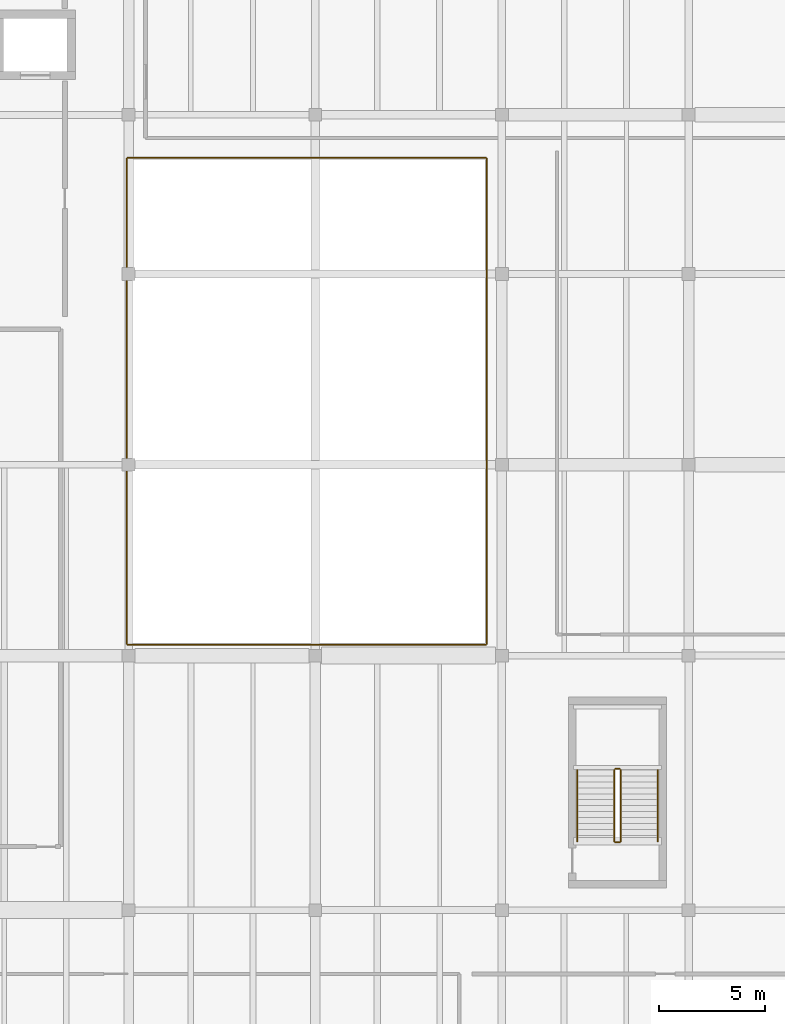
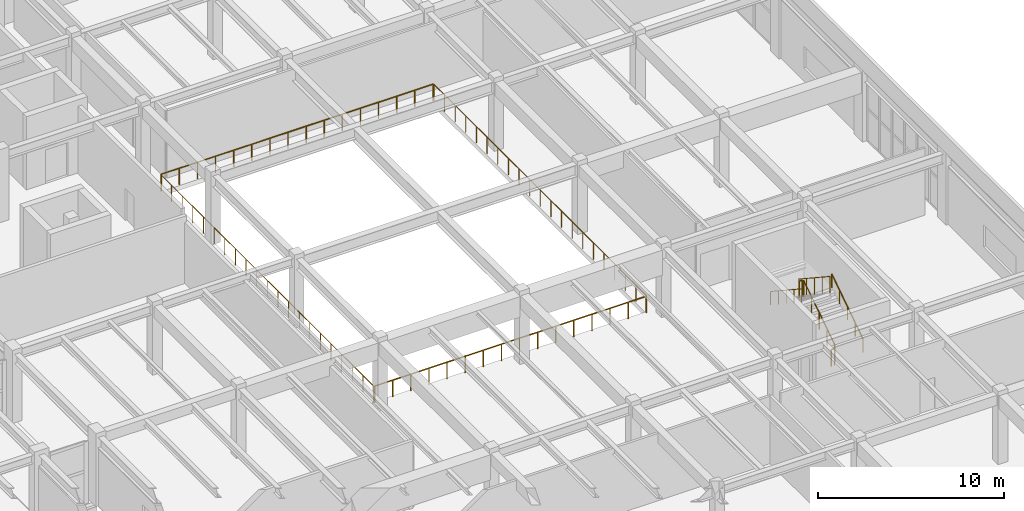
# One storey, part 96 of 96: 10 railings.
"""IFC4 building model written with IfcOpenShell, lengths in metres."""

from ifc_helpers import new_model, si_unit, direction, frame, origin, origin_2d, place, context, subcontext, project, spatial, circle, extrude, material, type_object, element, save


model = new_model("IFC4")

# Units and contexts
model_context = context("Model", 3, precision=1e-05, world=origin(), true_north=direction((0.0, 1.0)))
body_context = subcontext(model_context, "Body", "Model", "MODEL_VIEW")
ifc_project = project(units=[si_unit("LENGTHUNIT", "METRE"), si_unit("AREAUNIT", "SQUARE_METRE"), si_unit("VOLUMEUNIT", "CUBIC_METRE"), si_unit("PLANEANGLEUNIT", "RADIAN"), si_unit("MASSUNIT", "GRAM", prefix="KILO")], contexts=[model_context])

# Site, building, storey
site_placement = place(None, origin())
site = spatial("IfcSite", under=ifc_project, at=site_placement, CompositionType="ELEMENT")
building_placement = place(site_placement, origin())
building = spatial("IfcBuilding", under=site, at=building_placement, Name="Vaelkrest Opera House", CompositionType="ELEMENT")
storey_placement = place(building_placement, frame((0.0, 0.0, 5.39990234375)))
storey = spatial("IfcBuildingStorey", under=building, at=storey_placement, Name="L01", CompositionType="ELEMENT", Elevation=5.39990234375)

# Railings
ifc_material = material(Name="Dark bronze anodized aluminium", Category="aluminium")
railing_type_1 = type_object("IfcRailingType", Name="GR01", PredefinedType="GUARDRAIL", material=ifc_material)
railing_1_placement = place(storey_placement, frame((51.159912109375, -7.280029296875, 0.0)))
element("IfcRailing", 1, at=railing_1_placement, inside=storey, type_object=railing_type_1, Name="Atrium/stage void guard V4 L01-1 seg 1", PredefinedType="GUARDRAIL", context=body_context, shape_type="SweptSolid", body=[
    extrude(circle(Radius=0.02392578125, at=origin_2d()), frame((0.0, 0.0, 1.076171875), z_axis=(1.0, 0.0, 0.0), x_axis=(0.0, 1.0, 0.0)), (0.0, 0.0, 1.0), 16.880126953125),
    extrude(circle(Radius=0.02099609375, at=origin_2d()), origin(), (0.0, 0.0, 1.0), 1.052001953125),
    extrude(circle(Radius=0.02099609375, at=origin_2d()), frame((1.125244140625, 0.0, 0.0)), (0.0, 0.0, 1.0), 1.052001953125),
    extrude(circle(Radius=0.02099609375, at=origin_2d()), frame((2.250732421875, 0.0, 0.0)), (0.0, 0.0, 1.0), 1.052001953125),
    extrude(circle(Radius=0.02099609375, at=origin_2d()), frame((3.3759765625, 0.0, 0.0)), (0.0, 0.0, 1.0), 1.052001953125),
    extrude(circle(Radius=0.02099609375, at=origin_2d()), frame((4.50146484375, 0.0, 0.0)), (0.0, 0.0, 1.0), 1.052001953125),
    extrude(circle(Radius=0.02099609375, at=origin_2d()), frame((5.626708984375, 0.0, 0.0)), (0.0, 0.0, 1.0), 1.052001953125),
    extrude(circle(Radius=0.02099609375, at=origin_2d()), frame((6.751953125, 0.0, 0.0)), (0.0, 0.0, 1.0), 1.052001953125),
    extrude(circle(Radius=0.02099609375, at=origin_2d()), frame((7.87744140625, 0.0, 0.0)), (0.0, 0.0, 1.0), 1.052001953125),
    extrude(circle(Radius=0.02099609375, at=origin_2d()), frame((9.002685546875, 0.0, 0.0)), (0.0, 0.0, 1.0), 1.052001953125),
    extrude(circle(Radius=0.02099609375, at=origin_2d()), frame((10.128173828125, 0.0, 0.0)), (0.0, 0.0, 1.0), 1.052001953125),
    extrude(circle(Radius=0.02099609375, at=origin_2d()), frame((11.25341796875, 0.0, 0.0)), (0.0, 0.0, 1.0), 1.052001953125),
    extrude(circle(Radius=0.02099609375, at=origin_2d()), frame((12.378662109375, 0.0, 0.0)), (0.0, 0.0, 1.0), 1.052001953125),
    extrude(circle(Radius=0.02099609375, at=origin_2d()), frame((13.504150390625, 0.0, 0.0)), (0.0, 0.0, 1.0), 1.052001953125),
    extrude(circle(Radius=0.02099609375, at=origin_2d()), frame((14.62939453125, 0.0, 0.0)), (0.0, 0.0, 1.0), 1.052001953125),
    extrude(circle(Radius=0.02099609375, at=origin_2d()), frame((15.7548828125, 0.0, 0.0)), (0.0, 0.0, 1.0), 1.052001953125),
    extrude(circle(Radius=0.02099609375, at=origin_2d()), frame((16.880126953125, 0.0, 0.0)), (0.0, 0.0, 1.0), 1.052001953125),
])
railing_2_placement = place(storey_placement, frame((68.080078125, -7.239990234375, 0.0)))
element("IfcRailing", 2, at=railing_2_placement, inside=storey, type_object=railing_type_1, Name="Atrium/stage void guard V4 L01-1 seg 2", PredefinedType="GUARDRAIL", context=body_context, shape_type="SweptSolid", body=[
    extrude(circle(Radius=0.02392578125, at=origin_2d()), frame((0.0, 0.0, 1.076171875), z_axis=(0.0, 1.0, 0.0), x_axis=(-1.0, 0.0, 0.0)), (0.0, 0.0, 1.0), 22.8798828125),
    extrude(circle(Radius=0.02099609375, at=origin_2d()), origin(), (0.0, 0.0, 1.0), 1.052001953125),
    extrude(circle(Radius=0.02099609375, at=origin_2d()), frame((0.0, 1.14404296875, 0.0)), (0.0, 0.0, 1.0), 1.052001953125),
    extrude(circle(Radius=0.02099609375, at=origin_2d()), frame((0.0, 2.2880859375, 0.0)), (0.0, 0.0, 1.0), 1.052001953125),
    extrude(circle(Radius=0.02099609375, at=origin_2d()), frame((0.0, 3.431884765625, 0.0)), (0.0, 0.0, 1.0), 1.052001953125),
    extrude(circle(Radius=0.02099609375, at=origin_2d()), frame((0.0, 4.575927734375, 0.0)), (0.0, 0.0, 1.0), 1.052001953125),
    extrude(circle(Radius=0.02099609375, at=origin_2d()), frame((0.0, 5.719970703125, 0.0)), (0.0, 0.0, 1.0), 1.052001953125),
    extrude(circle(Radius=0.02099609375, at=origin_2d()), frame((0.0, 6.864013671875, 0.0)), (0.0, 0.0, 1.0), 1.052001953125),
    extrude(circle(Radius=0.02099609375, at=origin_2d()), frame((0.0, 8.008056640625, 0.0)), (0.0, 0.0, 1.0), 1.052001953125),
    extrude(circle(Radius=0.02099609375, at=origin_2d()), frame((0.0, 9.15185546875, 0.0)), (0.0, 0.0, 1.0), 1.052001953125),
    extrude(circle(Radius=0.02099609375, at=origin_2d()), frame((0.0, 10.2958984375, 0.0)), (0.0, 0.0, 1.0), 1.052001953125),
    extrude(circle(Radius=0.02099609375, at=origin_2d()), frame((0.0, 11.43994140625, 0.0)), (0.0, 0.0, 1.0), 1.052001953125),
    extrude(circle(Radius=0.02099609375, at=origin_2d()), frame((0.0, 12.583984375, 0.0)), (0.0, 0.0, 1.0), 1.052001953125),
    extrude(circle(Radius=0.02099609375, at=origin_2d()), frame((0.0, 13.72802734375, 0.0)), (0.0, 0.0, 1.0), 1.052001953125),
    extrude(circle(Radius=0.02099609375, at=origin_2d()), frame((0.0, 14.871826171875, 0.0)), (0.0, 0.0, 1.0), 1.052001953125),
    extrude(circle(Radius=0.02099609375, at=origin_2d()), frame((0.0, 16.015869140625, 0.0)), (0.0, 0.0, 1.0), 1.052001953125),
    extrude(circle(Radius=0.02099609375, at=origin_2d()), frame((0.0, 17.159912109375, 0.0)), (0.0, 0.0, 1.0), 1.052001953125),
    extrude(circle(Radius=0.02099609375, at=origin_2d()), frame((0.0, 18.303955078125, 0.0)), (0.0, 0.0, 1.0), 1.052001953125),
    extrude(circle(Radius=0.02099609375, at=origin_2d()), frame((0.0, 19.447998046875, 0.0)), (0.0, 0.0, 1.0), 1.052001953125),
    extrude(circle(Radius=0.02099609375, at=origin_2d()), frame((0.0, 20.591796875, 0.0)), (0.0, 0.0, 1.0), 1.052001953125),
    extrude(circle(Radius=0.02099609375, at=origin_2d()), frame((0.0, 21.73583984375, 0.0)), (0.0, 0.0, 1.0), 1.052001953125),
    extrude(circle(Radius=0.02099609375, at=origin_2d()), frame((0.0, 22.8798828125, 0.0)), (0.0, 0.0, 1.0), 1.052001953125),
])
railing_3_placement = place(storey_placement, frame((68.0400390625, 15.679931640625, 0.0)))
element("IfcRailing", 3, at=railing_3_placement, inside=storey, type_object=railing_type_1, Name="Atrium/stage void guard V4 L01-1 seg 3", PredefinedType="GUARDRAIL", context=body_context, shape_type="SweptSolid", body=[
    extrude(circle(Radius=0.02392578125, at=origin_2d()), frame((0.0, 0.0, 1.076171875), z_axis=(-1.0, 0.0, 0.0), x_axis=(0.0, -1.0, 0.0)), (0.0, 0.0, 1.0), 16.880126953125),
    extrude(circle(Radius=0.02099609375, at=origin_2d()), origin(), (0.0, 0.0, 1.0), 1.052001953125),
    extrude(circle(Radius=0.02099609375, at=origin_2d()), frame((-1.125244140625, 0.0, 0.0)), (0.0, 0.0, 1.0), 1.052001953125),
    extrude(circle(Radius=0.02099609375, at=origin_2d()), frame((-2.250732421875, 0.0, 0.0)), (0.0, 0.0, 1.0), 1.052001953125),
    extrude(circle(Radius=0.02099609375, at=origin_2d()), frame((-3.3759765625, 0.0, 0.0)), (0.0, 0.0, 1.0), 1.052001953125),
    extrude(circle(Radius=0.02099609375, at=origin_2d()), frame((-4.50146484375, 0.0, 0.0)), (0.0, 0.0, 1.0), 1.052001953125),
    extrude(circle(Radius=0.02099609375, at=origin_2d()), frame((-5.626708984375, 0.0, 0.0)), (0.0, 0.0, 1.0), 1.052001953125),
    extrude(circle(Radius=0.02099609375, at=origin_2d()), frame((-6.751953125, 0.0, 0.0)), (0.0, 0.0, 1.0), 1.052001953125),
    extrude(circle(Radius=0.02099609375, at=origin_2d()), frame((-7.87744140625, 0.0, 0.0)), (0.0, 0.0, 1.0), 1.052001953125),
    extrude(circle(Radius=0.02099609375, at=origin_2d()), frame((-9.002685546875, 0.0, 0.0)), (0.0, 0.0, 1.0), 1.052001953125),
    extrude(circle(Radius=0.02099609375, at=origin_2d()), frame((-10.128173828125, 0.0, 0.0)), (0.0, 0.0, 1.0), 1.052001953125),
    extrude(circle(Radius=0.02099609375, at=origin_2d()), frame((-11.25341796875, 0.0, 0.0)), (0.0, 0.0, 1.0), 1.052001953125),
    extrude(circle(Radius=0.02099609375, at=origin_2d()), frame((-12.378662109375, 0.0, 0.0)), (0.0, 0.0, 1.0), 1.052001953125),
    extrude(circle(Radius=0.02099609375, at=origin_2d()), frame((-13.504150390625, 0.0, 0.0)), (0.0, 0.0, 1.0), 1.052001953125),
    extrude(circle(Radius=0.02099609375, at=origin_2d()), frame((-14.62939453125, 0.0, 0.0)), (0.0, 0.0, 1.0), 1.052001953125),
    extrude(circle(Radius=0.02099609375, at=origin_2d()), frame((-15.7548828125, 0.0, 0.0)), (0.0, 0.0, 1.0), 1.052001953125),
    extrude(circle(Radius=0.02099609375, at=origin_2d()), frame((-16.880126953125, 0.0, 0.0)), (0.0, 0.0, 1.0), 1.052001953125),
])
railing_4_placement = place(storey_placement, frame((51.1201171875, 15.639892578125, 0.0)))
element("IfcRailing", 4, at=railing_4_placement, inside=storey, type_object=railing_type_1, Name="Atrium/stage void guard V4 L01-1 seg 4", PredefinedType="GUARDRAIL", context=body_context, shape_type="SweptSolid", body=[
    extrude(circle(Radius=0.02392578125, at=origin_2d()), frame((0.0, 0.0, 1.076171875), z_axis=(0.0, -1.0, 0.0), x_axis=(1.0, 0.0, 0.0)), (0.0, 0.0, 1.0), 22.8798828125),
    extrude(circle(Radius=0.02099609375, at=origin_2d()), origin(), (0.0, 0.0, 1.0), 1.052001953125),
    extrude(circle(Radius=0.02099609375, at=origin_2d()), frame((0.0, -1.14404296875, 0.0)), (0.0, 0.0, 1.0), 1.052001953125),
    extrude(circle(Radius=0.02099609375, at=origin_2d()), frame((0.0, -2.2880859375, 0.0)), (0.0, 0.0, 1.0), 1.052001953125),
    extrude(circle(Radius=0.02099609375, at=origin_2d()), frame((0.0, -3.431884765625, 0.0)), (0.0, 0.0, 1.0), 1.052001953125),
    extrude(circle(Radius=0.02099609375, at=origin_2d()), frame((0.0, -4.575927734375, 0.0)), (0.0, 0.0, 1.0), 1.052001953125),
    extrude(circle(Radius=0.02099609375, at=origin_2d()), frame((0.0, -5.719970703125, 0.0)), (0.0, 0.0, 1.0), 1.052001953125),
    extrude(circle(Radius=0.02099609375, at=origin_2d()), frame((0.0, -6.864013671875, 0.0)), (0.0, 0.0, 1.0), 1.052001953125),
    extrude(circle(Radius=0.02099609375, at=origin_2d()), frame((0.0, -8.008056640625, 0.0)), (0.0, 0.0, 1.0), 1.052001953125),
    extrude(circle(Radius=0.02099609375, at=origin_2d()), frame((0.0, -9.15185546875, 0.0)), (0.0, 0.0, 1.0), 1.052001953125),
    extrude(circle(Radius=0.02099609375, at=origin_2d()), frame((0.0, -10.2958984375, 0.0)), (0.0, 0.0, 1.0), 1.052001953125),
    extrude(circle(Radius=0.02099609375, at=origin_2d()), frame((0.0, -11.43994140625, 0.0)), (0.0, 0.0, 1.0), 1.052001953125),
    extrude(circle(Radius=0.02099609375, at=origin_2d()), frame((0.0, -12.583984375, 0.0)), (0.0, 0.0, 1.0), 1.052001953125),
    extrude(circle(Radius=0.02099609375, at=origin_2d()), frame((0.0, -13.72802734375, 0.0)), (0.0, 0.0, 1.0), 1.052001953125),
    extrude(circle(Radius=0.02099609375, at=origin_2d()), frame((0.0, -14.871826171875, 0.0)), (0.0, 0.0, 1.0), 1.052001953125),
    extrude(circle(Radius=0.02099609375, at=origin_2d()), frame((0.0, -16.015869140625, 0.0)), (0.0, 0.0, 1.0), 1.052001953125),
    extrude(circle(Radius=0.02099609375, at=origin_2d()), frame((0.0, -17.159912109375, 0.0)), (0.0, 0.0, 1.0), 1.052001953125),
    extrude(circle(Radius=0.02099609375, at=origin_2d()), frame((0.0, -18.303955078125, 0.0)), (0.0, 0.0, 1.0), 1.052001953125),
    extrude(circle(Radius=0.02099609375, at=origin_2d()), frame((0.0, -19.447998046875, 0.0)), (0.0, 0.0, 1.0), 1.052001953125),
    extrude(circle(Radius=0.02099609375, at=origin_2d()), frame((0.0, -20.591796875, 0.0)), (0.0, 0.0, 1.0), 1.052001953125),
    extrude(circle(Radius=0.02099609375, at=origin_2d()), frame((0.0, -21.73583984375, 0.0)), (0.0, 0.0, 1.0), 1.052001953125),
    extrude(circle(Radius=0.02099609375, at=origin_2d()), frame((0.0, -22.8798828125, 0.0)), (0.0, 0.0, 1.0), 1.052001953125),
])
railing_type_2 = type_object("IfcRailingType", Name="GR02", PredefinedType="GUARDRAIL", material=ifc_material)
railing_5_placement = place(storey_placement, frame((74.39990234375, -16.550048828125, 0.184814453125)))
element("IfcRailing", 5, at=railing_5_placement, inside=storey, type_object=railing_type_2, Name="L01 ST10 stair guard 1", PredefinedType="GUARDRAIL", context=body_context, shape_type="SweptSolid", body=[
    extrude(circle(Radius=0.02392578125, at=origin_2d()), frame((0.0, 0.0, 1.076171875), z_axis=(0.0, 0.834876476806, 0.550437342915), x_axis=(-1.0, 0.0, 0.0)), (0.0, 0.0, 1.0), 4.024658203125),
    extrude(circle(Radius=0.02099609375, at=origin_2d()), origin(), (0.0, 0.0, 1.0), 1.052001953125),
    extrude(circle(Radius=0.02099609375, at=origin_2d()), frame((0.0, 0.840087890625, 0.5537109375)), (0.0, 0.0, 1.0), 1.052001953125),
    extrude(circle(Radius=0.02099609375, at=origin_2d()), frame((0.0, 1.68017578125, 1.107666015625)), (0.0, 0.0, 1.0), 1.052001953125),
    extrude(circle(Radius=0.02099609375, at=origin_2d()), frame((0.0, 2.52001953125, 1.66162109375)), (0.0, 0.0, 1.0), 1.052001953125),
    extrude(circle(Radius=0.02099609375, at=origin_2d()), frame((0.0, 3.360107421875, 2.21533203125)), (0.0, 0.0, 1.0), 1.052001953125),
])
railing_6_placement = place(storey_placement, frame((74.35009765625, -13.139892578125, 2.400146484375)))
element("IfcRailing", 6, at=railing_6_placement, inside=storey, type_object=railing_type_2, Name="L01 ST10 stair guard 2", PredefinedType="GUARDRAIL", context=body_context, shape_type="SweptSolid", body=[
    extrude(circle(Radius=0.02392578125, at=origin_2d()), frame((0.0, 0.0, 1.076171875), z_axis=(-1.0, 0.0, 0.0), x_axis=(0.0, -1.0, 0.0)), (0.0, 0.0, 1.0), 0.2001953125),
    extrude(circle(Radius=0.02099609375, at=origin_2d()), origin(), (0.0, 0.0, 1.0), 1.052001953125),
    extrude(circle(Radius=0.02099609375, at=origin_2d()), frame((-0.2001953125, 0.0, 0.0)), (0.0, 0.0, 1.0), 1.052001953125),
])
railing_7_placement = place(storey_placement, frame((74.10009765625, -13.18994140625, 2.584716796875)))
element("IfcRailing", 7, at=railing_7_placement, inside=storey, type_object=railing_type_2, Name="L01 ST10 stair guard 3", PredefinedType="GUARDRAIL", context=body_context, shape_type="SweptSolid", body=[
    extrude(circle(Radius=0.02392578125, at=origin_2d()), frame((0.0, 0.0, 1.076171875), z_axis=(0.0, -0.834876476806, 0.550437342915), x_axis=(1.0, 0.0, 0.0)), (0.0, 0.0, 1.0), 4.024658203125),
    extrude(circle(Radius=0.02099609375, at=origin_2d()), origin(), (0.0, 0.0, 1.0), 1.052001953125),
    extrude(circle(Radius=0.02099609375, at=origin_2d()), frame((0.0, -0.840087890625, 0.5537109375)), (0.0, 0.0, 1.0), 1.052001953125),
    extrude(circle(Radius=0.02099609375, at=origin_2d()), frame((0.0, -1.68017578125, 1.107666015625)), (0.0, 0.0, 1.0), 1.052001953125),
    extrude(circle(Radius=0.02099609375, at=origin_2d()), frame((0.0, -2.52001953125, 1.66162109375)), (0.0, 0.0, 1.0), 1.052001953125),
    extrude(circle(Radius=0.02099609375, at=origin_2d()), frame((0.0, -3.360107421875, 2.21533203125)), (0.0, 0.0, 1.0), 1.052001953125),
])
railing_8_placement = place(storey_placement, frame((74.35009765625, -16.60009765625, 0.0)))
element("IfcRailing", 8, at=railing_8_placement, inside=storey, type_object=railing_type_2, Name="L01 ST10 stair guard 4", PredefinedType="GUARDRAIL", context=body_context, shape_type="SweptSolid", body=[
    extrude(circle(Radius=0.02392578125, at=origin_2d()), frame((0.0, 0.0, 1.076171875), z_axis=(-1.0, 0.0, 0.0), x_axis=(0.0, -1.0, 0.0)), (0.0, 0.0, 1.0), 0.2001953125),
    extrude(circle(Radius=0.02099609375, at=origin_2d()), origin(), (0.0, 0.0, 1.0), 1.052001953125),
    extrude(circle(Radius=0.02099609375, at=origin_2d()), frame((-0.2001953125, 0.0, 0.0)), (0.0, 0.0, 1.0), 1.052001953125),
])
railing_type_3 = type_object("IfcRailingType", Name="HR02", PredefinedType="HANDRAIL", material=ifc_material)
railing_9_placement = place(storey_placement, frame((76.14990234375, -16.550048828125, 0.184814453125)))
element("IfcRailing", 9, at=railing_9_placement, inside=storey, type_object=railing_type_3, Name="L01 ST10 stair handrail 1", PredefinedType="HANDRAIL", context=body_context, shape_type="SweptSolid", body=[
    extrude(circle(Radius=0.02392578125, at=origin_2d()), frame((0.0, 0.0, 0.8759765625), z_axis=(0.0, 0.834876476806, 0.550437342915), x_axis=(-1.0, 0.0, 0.0)), (0.0, 0.0, 1.0), 4.024658203125),
    extrude(circle(Radius=0.02099609375, at=origin_2d()), origin(), (0.0, 0.0, 1.0), 0.851806640625),
    extrude(circle(Radius=0.02099609375, at=origin_2d()), frame((0.0, 0.840087890625, 0.5537109375)), (0.0, 0.0, 1.0), 0.851806640625),
    extrude(circle(Radius=0.02099609375, at=origin_2d()), frame((0.0, 1.68017578125, 1.107666015625)), (0.0, 0.0, 1.0), 0.851806640625),
    extrude(circle(Radius=0.02099609375, at=origin_2d()), frame((0.0, 2.52001953125, 1.66162109375)), (0.0, 0.0, 1.0), 0.851806640625),
    extrude(circle(Radius=0.02099609375, at=origin_2d()), frame((0.0, 3.360107421875, 2.21533203125)), (0.0, 0.0, 1.0), 0.851806640625),
])
railing_10_placement = place(storey_placement, frame((72.35009765625, -13.18994140625, 2.584716796875)))
element("IfcRailing", 10, at=railing_10_placement, inside=storey, type_object=railing_type_3, Name="L01 ST10 stair handrail 2", PredefinedType="HANDRAIL", context=body_context, shape_type="SweptSolid", body=[
    extrude(circle(Radius=0.02392578125, at=origin_2d()), frame((0.0, 0.0, 0.8759765625), z_axis=(0.0, -0.834876476806, 0.550437342915), x_axis=(1.0, 0.0, 0.0)), (0.0, 0.0, 1.0), 4.024658203125),
    extrude(circle(Radius=0.02099609375, at=origin_2d()), origin(), (0.0, 0.0, 1.0), 0.851806640625),
    extrude(circle(Radius=0.02099609375, at=origin_2d()), frame((0.0, -0.840087890625, 0.5537109375)), (0.0, 0.0, 1.0), 0.851806640625),
    extrude(circle(Radius=0.02099609375, at=origin_2d()), frame((0.0, -1.68017578125, 1.107666015625)), (0.0, 0.0, 1.0), 0.851806640625),
    extrude(circle(Radius=0.02099609375, at=origin_2d()), frame((0.0, -2.52001953125, 1.66162109375)), (0.0, 0.0, 1.0), 0.851806640625),
    extrude(circle(Radius=0.02099609375, at=origin_2d()), frame((0.0, -3.360107421875, 2.21533203125)), (0.0, 0.0, 1.0), 0.851806640625),
])

save(model, "model.ifc")
